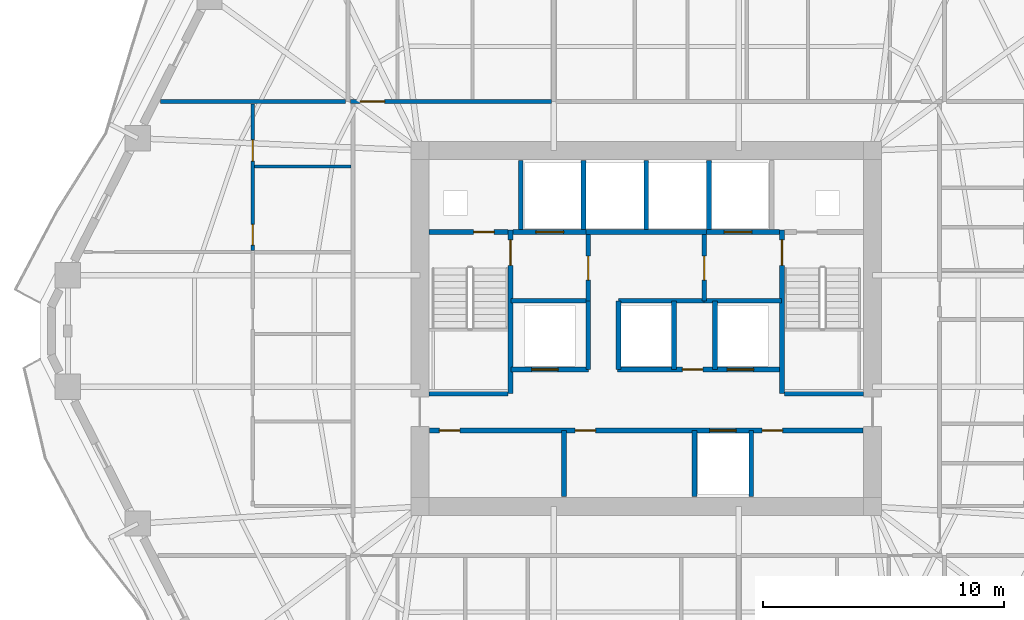
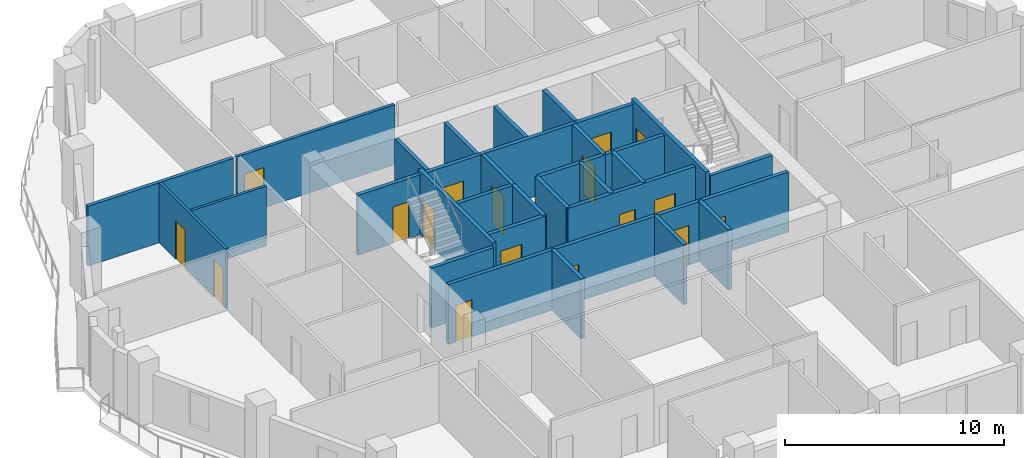
# One storey, part 5 of 11: 31 walls, 17 doors, 17 openings.
"""IFC4 building model written with IfcOpenShell, lengths in metres."""

from ifc_helpers import new_model, si_unit, direction, frame, frame_2d, origin, place, context, subcontext, project, spatial, rectangle, extrude, material, layer, layer_set, type_object, element, fill, save


model = new_model("IFC4")

# Units and contexts
model_context = context("Model", 3, precision=1e-05, world=origin(), true_north=direction((0.0, 1.0)))
body_context = subcontext(model_context, "Body", "Model", "MODEL_VIEW")
ifc_project = project(units=[si_unit("LENGTHUNIT", "METRE"), si_unit("AREAUNIT", "SQUARE_METRE"), si_unit("VOLUMEUNIT", "CUBIC_METRE"), si_unit("PLANEANGLEUNIT", "RADIAN"), si_unit("MASSUNIT", "GRAM", prefix="KILO")], contexts=[model_context])

# Site, building, storey
site_placement = place(None, origin())
site = spatial("IfcSite", under=ifc_project, at=site_placement, CompositionType="ELEMENT")
building_placement = place(site_placement, origin())
building = spatial("IfcBuilding", under=site, at=building_placement, Name="Cinnabar Lancet Tower", CompositionType="ELEMENT")
storey_placement = place(building_placement, frame((0.0, 0.0, 105.5)))
storey = spatial("IfcBuildingStorey", under=building, at=storey_placement, Name="L27", CompositionType="ELEMENT", Elevation=105.5)

# Wall, opening, door
ifc_material_1 = material(Name="Acoustic twin-stud gypsum partition", Category="gypsum")
ifc_layer_1 = layer(ifc_material_1, 0.159912109375)
ifc_layer_set_1 = layer_set([ifc_layer_1], Name="Acoustic twin-stud gypsum partition")
wall_type_1 = type_object("IfcWallType", Name="ARC-WL-CORR-160", PredefinedType="PARTITIONING", material=ifc_layer_set_1)
wall_1_placement = place(storey_placement, frame((20.14501953125, 35.300048828125, 0.0), z_axis=(0.0, 0.0, 1.0), x_axis=(1.0, 0.0, 0.0)))
wall_1 = element("IfcWall", 1, at=wall_1_placement, inside=storey, type_object=wall_type_1, Name="L27 Unit N01 Corridor Wall", PredefinedType="PARTITIONING", context=body_context, shape_type="SweptSolid", body=[
    extrude(rectangle(XDim=8.327880859375, YDim=0.159912109375, at=frame_2d((4.1640625, 0.0))), origin(), (0.0, 0.0, 1.0), 3.340087890625),
])
opening_1_placement = place(wall_1_placement, frame((0.405029296875, 0.0, 0.0)))
opening_1 = element("IfcOpeningElement", 2, at=opening_1_placement, cuts=wall_1, Name="Opening UD-01", PredefinedType="OPENING", context=body_context, shape_type="SweptSolid", body=[
    extrude(rectangle(XDim=1.02001953125, YDim=2.25, at=frame_2d((0.510009765625, 1.125))), frame((0.0, 0.08984375, 0.0), z_axis=(0.0, -1.0, 0.0), x_axis=(1.0, 0.0, 0.0)), (0.0, 0.0, 1.0), 0.179931640625),
])
ifc_material_2 = material(Name="Solid timber fire-rated apartment entrance door", Category="wood")
door_type_1 = type_object("IfcDoorType", Name="ARC-DR-UNIT", OperationType="NOTDEFINED", PredefinedType="DOOR", material=ifc_material_2)
door_1_placement = place(opening_1_placement, origin())
door_1 = element("IfcDoor", 3, at=door_1_placement, inside=storey, type_object=door_type_1, Name="DR-L27-N01-ENT", OperationType="SINGLE_SWING_RIGHT", OverallHeight=2.25, OverallWidth=1.02001953125, PredefinedType="DOOR", context=body_context, shape_type="SweptSolid", body=[
    extrude(rectangle(XDim=1.02001953125, YDim=2.25, at=frame_2d((0.510009765625, 1.125))), frame((0.0, 0.02490234375, 0.0), z_axis=(0.0, -1.0, 0.0), x_axis=(1.0, 0.0, 0.0)), (0.0, 0.0, 1.0), 0.050048828125),
])
fill(opening_1, door_1)

# Walls
ifc_material_3 = material(Name="Fire-rated twin-frame acoustic drywall", Category="gypsum")
ifc_layer_2 = layer(ifc_material_3, 0.179931640625)
ifc_layer_set_2 = layer_set([ifc_layer_2], Name="Fire-rated twin-frame acoustic drywall")
wall_type_2 = type_object("IfcWallType", Name="ARC-WL-PARTY-180", PredefinedType="PARTITIONING", material=ifc_layer_set_2)
wall_2_placement = place(storey_placement, frame((12.285888671875, 35.300048828125, 0.0), z_axis=(0.0, 0.0, 1.0), x_axis=(1.0, 0.0, 0.0)))
element("IfcWall", 4, at=wall_2_placement, inside=storey, type_object=wall_type_2, Name="PW-L27-WNB", PredefinedType="PARTITIONING", context=body_context, shape_type="SweptSolid", body=[
    extrude(rectangle(XDim=7.669189453125, YDim=0.179931640625, at=frame_2d((3.83447265625, 0.0))), origin(), (0.0, 0.0, 1.0), 3.340087890625),
])
ifc_material_4 = material(Name="Autoclaved aerated concrete blockwork", Category="masonry")
ifc_layer_3 = layer(ifc_material_4, 0.199951171875)
ifc_layer_set_3 = layer_set([ifc_layer_3], Name="Autoclaved aerated concrete blockwork")
wall_type_3 = type_object("IfcWallType", Name="ARC-WL-SHAFT-200", PredefinedType="PLUMBINGWALL", material=ifc_layer_set_3)
for number, where, z_axis, x_axis, name in (
    (5, (23.405029296875, 23.199951171875, 0.0), (0.0, 0.0, 1.0), (1.0, 0.0, 0.0), "CW-ST1S-L27"),
    (6, (38.125, 23.199951171875, 0.0), (0.0, 0.0, 1.0), (1.0, 0.0, 0.0), "CW-ST2S-L27"),
):
    element("IfcWall", number, at=place(storey_placement, frame(where, z_axis=z_axis, x_axis=x_axis)), inside=storey, type_object=wall_type_3, Name=name, PredefinedType="PLUMBINGWALL", context=body_context, shape_type="SweptSolid", body=[
        extrude(rectangle(XDim=3.27001953125, YDim=0.199951171875, at=frame_2d((1.635009765625, 0.0))), origin(), (0.0, 0.0, 1.0), 3.340087890625),
    ])

# Wall, opening, door
wall_3_placement = place(storey_placement, frame((23.405029296875, 29.89990234375, 0.0), z_axis=(0.0, 0.0, 1.0), x_axis=(1.0, 0.0, 0.0)))
wall_3 = element("IfcWall", 7, at=wall_3_placement, inside=storey, type_object=wall_type_3, Name="CW-NSH-W-L27", PredefinedType="PLUMBINGWALL", context=body_context, shape_type="SweptSolid", body=[
    extrude(rectangle(XDim=3.27001953125, YDim=0.199951171875, at=frame_2d((1.635009765625, 0.0))), origin(), (0.0, 0.0, 1.0), 3.340087890625),
])
opening_2_placement = place(wall_3_placement, frame((1.85009765625, 0.0, 0.0)))
opening_2 = element("IfcOpeningElement", 8, at=opening_2_placement, cuts=wall_3, Name="Opening PD-02", PredefinedType="OPENING", context=body_context, shape_type="SweptSolid", body=[
    extrude(rectangle(XDim=0.85009765625, YDim=2.050048828125, at=frame_2d((0.425048828125, 1.02490234375))), frame((0.0, 0.10986328125, 0.0), z_axis=(0.0, -1.0, 0.0), x_axis=(1.0, 0.0, 0.0)), (0.0, 0.0, 1.0), 0.219970703125),
])
ifc_material_5 = material(Name="Fire-rated steel riser access door", Category="steel")
door_type_2 = type_object("IfcDoorType", Name="ARC-DR-RISER", OperationType="NOTDEFINED", PredefinedType="DOOR", material=ifc_material_5)
door_2_placement = place(opening_2_placement, origin())
door_2 = element("IfcDoor", 9, at=door_2_placement, inside=storey, type_object=door_type_2, Name="L27 West Riser Access Door", OperationType="SINGLE_SWING_LEFT", OverallHeight=2.050048828125, OverallWidth=0.85009765625, PredefinedType="DOOR", context=body_context, shape_type="SweptSolid", body=[
    extrude(rectangle(XDim=0.85009765625, YDim=2.050048828125, at=frame_2d((0.425048828125, 1.02490234375))), frame((0.0, 0.02490234375, 0.0), z_axis=(0.0, -1.0, 0.0), x_axis=(1.0, 0.0, 0.0)), (0.0, 0.0, 1.0), 0.050048828125),
])
fill(opening_2, door_2)

wall_4_placement = place(storey_placement, frame((26.885009765625, 29.89990234375, 0.0), z_axis=(0.0, 0.0, 1.0), x_axis=(1.0, 0.0, 0.0)))
wall_4 = element("IfcWall", 10, at=wall_4_placement, inside=storey, type_object=wall_type_3, Name="CW-FL1-L27", PredefinedType="PLUMBINGWALL", context=body_context, shape_type="SweptSolid", body=[
    extrude(rectangle(XDim=3.014892578125, YDim=0.199951171875, at=frame_2d((1.50732421875, 0.0))), origin(), (0.0, 0.0, 1.0), 3.340087890625),
])
opening_3_placement = place(wall_4_placement, frame((0.93994140625, 0.0, 0.0)))
opening_3 = element("IfcOpeningElement", 11, at=opening_3_placement, cuts=wall_4, Name="Opening LD-02", PredefinedType="OPENING", context=body_context, shape_type="SweptSolid", body=[
    extrude(rectangle(XDim=1.14990234375, YDim=2.199951171875, at=frame_2d((0.574951171875, 1.10009765625))), frame((0.0, 0.10986328125, 0.0), z_axis=(0.0, -1.0, 0.0), x_axis=(1.0, 0.0, 0.0)), (0.0, 0.0, 1.0), 0.219970703125),
])
ifc_material_6 = material(Name="Fire-rated stainless steel firefighting lift landing door", Category="steel")
door_type_3 = type_object("IfcDoorType", Name="ARC-DR-LD-FIRE", OperationType="NOTDEFINED", PredefinedType="DOOR", material=ifc_material_6)
door_3_placement = place(opening_3_placement, origin())
door_3 = element("IfcDoor", 12, at=door_3_placement, inside=storey, type_object=door_type_3, Name="L27 Firefighting Lift FL-1 Landing Door", OperationType="DOUBLE_DOOR_SLIDING", OverallHeight=2.199951171875, OverallWidth=1.14990234375, PredefinedType="DOOR", context=body_context, shape_type="SweptSolid", body=[
    extrude(rectangle(XDim=1.14990234375, YDim=2.199951171875, at=frame_2d((0.574951171875, 1.10009765625))), frame((0.0, 0.02490234375, 0.0), z_axis=(0.0, -1.0, 0.0), x_axis=(1.0, 0.0, 0.0)), (0.0, 0.0, 1.0), 0.050048828125),
])
fill(opening_3, door_3)

# Wall
wall_5_placement = place(storey_placement, frame((29.89990234375, 29.89990234375, 0.0), z_axis=(0.0, 0.0, 1.0), x_axis=(1.0, 0.0, 0.0)))
element("IfcWall", 13, at=wall_5_placement, inside=storey, type_object=wall_type_3, Name="CW-PL78-L27", PredefinedType="PLUMBINGWALL", context=body_context, shape_type="SweptSolid", body=[
    extrude(rectangle(XDim=5.0, YDim=0.199951171875, at=frame_2d((2.5, 0.0))), origin(), (0.0, 0.0, 1.0), 3.340087890625),
])

# Wall, opening, door
wall_6_placement = place(storey_placement, frame((34.89990234375, 29.89990234375, 0.0), z_axis=(0.0, 0.0, 1.0), x_axis=(1.0, 0.0, 0.0)))
wall_6 = element("IfcWall", 14, at=wall_6_placement, inside=storey, type_object=wall_type_3, Name="CW-FL2-L27", PredefinedType="PLUMBINGWALL", context=body_context, shape_type="SweptSolid", body=[
    extrude(rectangle(XDim=3.01513671875, YDim=0.199951171875, at=frame_2d((1.507568359375, 0.0))), origin(), (0.0, 0.0, 1.0), 3.340087890625),
])
opening_4_placement = place(wall_6_placement, frame((0.72509765625, 0.0, 0.0)))
opening_4 = element("IfcOpeningElement", 15, at=opening_4_placement, cuts=wall_6, Name="Opening LD-02", PredefinedType="OPENING", context=body_context, shape_type="SweptSolid", body=[
    extrude(rectangle(XDim=1.14990234375, YDim=2.199951171875, at=frame_2d((0.574951171875, 1.10009765625))), frame((0.0, 0.10986328125, 0.0), z_axis=(0.0, -1.0, 0.0), x_axis=(1.0, 0.0, 0.0)), (0.0, 0.0, 1.0), 0.219970703125),
])
door_4_placement = place(opening_4_placement, origin())
door_4 = element("IfcDoor", 16, at=door_4_placement, inside=storey, type_object=door_type_3, Name="L27 Firefighting Lift FL-2 Landing Door", OperationType="DOUBLE_DOOR_SLIDING", OverallHeight=2.199951171875, OverallWidth=1.14990234375, PredefinedType="DOOR", context=body_context, shape_type="SweptSolid", body=[
    extrude(rectangle(XDim=1.14990234375, YDim=2.199951171875, at=frame_2d((0.574951171875, 1.10009765625))), frame((0.0, 0.02490234375, 0.0), z_axis=(0.0, -1.0, 0.0), x_axis=(1.0, 0.0, 0.0)), (0.0, 0.0, 1.0), 0.050048828125),
])
fill(opening_4, door_4)

# Walls
for number, where, z_axis, x_axis, name in (
    (17, (27.199951171875, 30.0, 0.0), (0.0, 0.0, 1.0), (0.0, 1.0, 0.0), "CW-NSH-D1-L27"),
    (18, (29.800048828125, 30.0, 0.0), (0.0, 0.0, 1.0), (0.0, 1.0, 0.0), "CW-NSH-D2-L27"),
    (19, (32.39990234375, 30.0, 0.0), (0.0, 0.0, 1.0), (0.0, 1.0, 0.0), "CW-NSH-D3-L27"),
    (20, (35.0, 30.0, 0.0), (0.0, 0.0, 1.0), (0.0, 1.0, 0.0), "CW-NSH-D4-L27"),
):
    element("IfcWall", number, at=place(storey_placement, frame(where, z_axis=z_axis, x_axis=x_axis)), inside=storey, type_object=wall_type_3, Name=name, PredefinedType="PLUMBINGWALL", context=body_context, shape_type="SweptSolid", body=[
        extrude(rectangle(XDim=2.85009765625, YDim=0.199951171875, at=frame_2d((1.425048828125, 0.0))), origin(), (0.0, 0.0, 1.0), 3.340087890625),
    ])

# Wall, opening, door
wall_7_placement = place(storey_placement, frame((30.0, 27.050048828125, 0.0), z_axis=(0.0, 0.0, 1.0), x_axis=(0.0, 1.0, 0.0)))
wall_7 = element("IfcWall", 21, at=wall_7_placement, inside=storey, type_object=wall_type_3, Name="CW-FF1E-L27", PredefinedType="PLUMBINGWALL", context=body_context, shape_type="SweptSolid", body=[
    extrude(rectangle(XDim=2.75, YDim=0.199951171875, at=frame_2d((1.375, 0.0))), origin(), (0.0, 0.0, 1.0), 3.340087890625),
])
opening_5_placement = place(wall_7_placement, frame((0.85009765625, 0.0, 0.0)))
opening_5 = element("IfcOpeningElement", 22, at=opening_5_placement, cuts=wall_7, Name="Opening FD-01", PredefinedType="OPENING", context=body_context, shape_type="SweptSolid", body=[
    extrude(rectangle(XDim=1.0, YDim=2.14990234375, at=frame_2d((0.5, 1.074951171875))), frame((0.0, 0.10986328125, 0.0), z_axis=(0.0, -1.0, 0.0), x_axis=(1.0, 0.0, 0.0)), (0.0, 0.0, 1.0), 0.219970703125),
])
ifc_material_7 = material(Name="Fire-rated timber-core lobby door", Category="wood")
door_type_4 = type_object("IfcDoorType", Name="ARC-DR-FFAL", OperationType="NOTDEFINED", PredefinedType="DOOR", material=ifc_material_7)
door_5_placement = place(opening_5_placement, origin())
door_5 = element("IfcDoor", 23, at=door_5_placement, inside=storey, type_object=door_type_4, Name="L27 FFAL-1 Lobby Fire Door", OperationType="SINGLE_SWING_RIGHT", OverallHeight=2.14990234375, OverallWidth=1.0, PredefinedType="DOOR", context=body_context, shape_type="SweptSolid", body=[
    extrude(rectangle(XDim=1.0, YDim=2.14990234375, at=frame_2d((0.5, 1.074951171875))), frame((0.0, 0.02490234375, 0.0), z_axis=(0.0, -1.0, 0.0), x_axis=(1.0, 0.0, 0.0)), (0.0, 0.0, 1.0), 0.050048828125),
])
fill(opening_5, door_5)

# Wall
wall_8_placement = place(storey_placement, frame((26.800048828125, 27.050048828125, 0.0), z_axis=(0.0, 0.0, 1.0), x_axis=(1.0, 0.0, 0.0)))
element("IfcWall", 24, at=wall_8_placement, inside=storey, type_object=wall_type_3, Name="CW-FF1S-L27", PredefinedType="PLUMBINGWALL", context=body_context, shape_type="SweptSolid", body=[
    extrude(rectangle(XDim=3.199951171875, YDim=0.199951171875, at=frame_2d((1.60009765625, 0.0))), origin(), (0.0, 0.0, 1.0), 3.340087890625),
])

# Wall, opening, door
wall_9_placement = place(storey_placement, frame((34.800048828125, 27.050048828125, 0.0), z_axis=(0.0, 0.0, 1.0), x_axis=(0.0, 1.0, 0.0)))
wall_9 = element("IfcWall", 25, at=wall_9_placement, inside=storey, type_object=wall_type_3, Name="CW-FF2W-L27", PredefinedType="PLUMBINGWALL", context=body_context, shape_type="SweptSolid", body=[
    extrude(rectangle(XDim=2.75, YDim=0.199951171875, at=frame_2d((1.375, 0.0))), origin(), (0.0, 0.0, 1.0), 3.340087890625),
])
opening_6_placement = place(wall_9_placement, frame((0.85009765625, 0.0, 0.0)))
opening_6 = element("IfcOpeningElement", 26, at=opening_6_placement, cuts=wall_9, Name="Opening FD-01", PredefinedType="OPENING", context=body_context, shape_type="SweptSolid", body=[
    extrude(rectangle(XDim=1.0, YDim=2.14990234375, at=frame_2d((0.5, 1.074951171875))), frame((0.0, 0.10986328125, 0.0), z_axis=(0.0, -1.0, 0.0), x_axis=(1.0, 0.0, 0.0)), (0.0, 0.0, 1.0), 0.219970703125),
])
door_6_placement = place(opening_6_placement, origin())
door_6 = element("IfcDoor", 27, at=door_6_placement, inside=storey, type_object=door_type_4, Name="L27 FFAL-2 Lobby Fire Door", OperationType="SINGLE_SWING_LEFT", OverallHeight=2.14990234375, OverallWidth=1.0, PredefinedType="DOOR", context=body_context, shape_type="SweptSolid", body=[
    extrude(rectangle(XDim=1.0, YDim=2.14990234375, at=frame_2d((0.5, 1.074951171875))), frame((0.0, 0.02490234375, 0.0), z_axis=(0.0, -1.0, 0.0), x_axis=(1.0, 0.0, 0.0)), (0.0, 0.0, 1.0), 0.050048828125),
])
fill(opening_6, door_6)

# Wall
wall_10_placement = place(storey_placement, frame((34.800048828125, 27.050048828125, 0.0), z_axis=(0.0, 0.0, 1.0), x_axis=(1.0, 0.0, 0.0)))
element("IfcWall", 28, at=wall_10_placement, inside=storey, type_object=wall_type_3, Name="CW-FF2S-L27", PredefinedType="PLUMBINGWALL", context=body_context, shape_type="SweptSolid", body=[
    extrude(rectangle(XDim=3.199951171875, YDim=0.199951171875, at=frame_2d((1.60009765625, 0.0))), origin(), (0.0, 0.0, 1.0), 3.340087890625),
])

# Wall, opening, door
wall_11_placement = place(storey_placement, frame((26.800048828125, 24.199951171875, 0.0), z_axis=(0.0, 0.0, 1.0), x_axis=(1.0, 0.0, 0.0)))
wall_11 = element("IfcWall", 29, at=wall_11_placement, inside=storey, type_object=wall_type_3, Name="CW-PL5S-L27", PredefinedType="PLUMBINGWALL", context=body_context, shape_type="SweptSolid", body=[
    extrude(rectangle(XDim=3.199951171875, YDim=0.199951171875, at=frame_2d((1.60009765625, 0.0))), origin(), (0.0, 0.0, 1.0), 3.340087890625),
])
opening_7_placement = place(wall_11_placement, frame((0.85009765625, 0.0, 0.0)))
opening_7 = element("IfcOpeningElement", 30, at=opening_7_placement, cuts=wall_11, Name="Opening LD-01", PredefinedType="OPENING", context=body_context, shape_type="SweptSolid", body=[
    extrude(rectangle(XDim=1.10009765625, YDim=2.199951171875, at=frame_2d((0.550048828125, 1.10009765625))), frame((0.0, 0.10986328125, 0.0), z_axis=(0.0, -1.0, 0.0), x_axis=(1.0, 0.0, 0.0)), (0.0, 0.0, 1.0), 0.219970703125),
])
ifc_material_8 = material(Name="Brushed stainless steel sliding lift door", Category="steel")
door_type_5 = type_object("IfcDoorType", Name="ARC-DR-LD-PASS", OperationType="NOTDEFINED", PredefinedType="DOOR", material=ifc_material_8)
door_7_placement = place(opening_7_placement, origin())
door_7 = element("IfcDoor", 31, at=door_7_placement, inside=storey, type_object=door_type_5, Name="L27 Lift PL-5 Landing Door", OperationType="DOUBLE_DOOR_SLIDING", OverallHeight=2.199951171875, OverallWidth=1.10009765625, PredefinedType="DOOR", context=body_context, shape_type="SweptSolid", body=[
    extrude(rectangle(XDim=1.10009765625, YDim=2.199951171875, at=frame_2d((0.550048828125, 1.10009765625))), frame((0.0, 0.02490234375, 0.0), z_axis=(0.0, -1.0, 0.0), x_axis=(1.0, 0.0, 0.0)), (0.0, 0.0, 1.0), 0.050048828125),
])
fill(opening_7, door_7)

# Wall
wall_12_placement = place(storey_placement, frame((30.0, 24.199951171875, 0.0), z_axis=(0.0, 0.0, 1.0), x_axis=(0.0, 1.0, 0.0)))
element("IfcWall", 32, at=wall_12_placement, inside=storey, type_object=wall_type_3, Name="CW-PL5E-L27", PredefinedType="PLUMBINGWALL", context=body_context, shape_type="SweptSolid", body=[
    extrude(rectangle(XDim=2.85009765625, YDim=0.199951171875, at=frame_2d((1.425048828125, 0.0))), origin(), (0.0, 0.0, 1.0), 3.340087890625),
])

# Wall, openings, doors
wall_13_placement = place(storey_placement, frame((31.199951171875, 24.199951171875, 0.0), z_axis=(0.0, 0.0, 1.0), x_axis=(1.0, 0.0, 0.0)))
wall_13 = element("IfcWall", 33, at=wall_13_placement, inside=storey, type_object=wall_type_3, Name="CW-PL96S-L27", PredefinedType="PLUMBINGWALL", context=body_context, shape_type="SweptSolid", body=[
    extrude(rectangle(XDim=6.800048828125, YDim=0.199951171875, at=frame_2d((3.39990234375, 0.0))), origin(), (0.0, 0.0, 1.0), 3.340087890625),
])
opening_8_placement = place(wall_13_placement, frame((2.699951171875, 0.0, 0.0)))
opening_8 = element("IfcOpeningElement", 34, at=opening_8_placement, cuts=wall_13, Name="Opening PD-02", PredefinedType="OPENING", context=body_context, shape_type="SweptSolid", body=[
    extrude(rectangle(XDim=0.85009765625, YDim=2.050048828125, at=frame_2d((0.425048828125, 1.02490234375))), frame((0.0, 0.10986328125, 0.0), z_axis=(0.0, -1.0, 0.0), x_axis=(1.0, 0.0, 0.0)), (0.0, 0.0, 1.0), 0.219970703125),
])
opening_9_placement = place(wall_13_placement, frame((4.550048828125, 0.0, 0.0)))
opening_9 = element("IfcOpeningElement", 35, at=opening_9_placement, cuts=wall_13, Name="Opening LD-01", PredefinedType="OPENING", context=body_context, shape_type="SweptSolid", body=[
    extrude(rectangle(XDim=1.10009765625, YDim=2.199951171875, at=frame_2d((0.550048828125, 1.10009765625))), frame((0.0, 0.10986328125, 0.0), z_axis=(0.0, -1.0, 0.0), x_axis=(1.0, 0.0, 0.0)), (0.0, 0.0, 1.0), 0.219970703125),
])
door_8_placement = place(opening_9_placement, origin())
door_8 = element("IfcDoor", 36, at=door_8_placement, inside=storey, type_object=door_type_5, Name="L27 Lift PL-6 Landing Door", OperationType="DOUBLE_DOOR_SLIDING", OverallHeight=2.199951171875, OverallWidth=1.10009765625, PredefinedType="DOOR", context=body_context, shape_type="SweptSolid", body=[
    extrude(rectangle(XDim=1.10009765625, YDim=2.199951171875, at=frame_2d((0.550048828125, 1.10009765625))), frame((0.0, 0.02490234375, 0.0), z_axis=(0.0, -1.0, 0.0), x_axis=(1.0, 0.0, 0.0)), (0.0, 0.0, 1.0), 0.050048828125),
])
fill(opening_9, door_8)
door_9_placement = place(opening_8_placement, origin())
door_9 = element("IfcDoor", 37, at=door_9_placement, inside=storey, type_object=door_type_2, Name="L27 BMS Closet Door", OperationType="SINGLE_SWING_LEFT", OverallHeight=2.050048828125, OverallWidth=0.85009765625, PredefinedType="DOOR", context=body_context, shape_type="SweptSolid", body=[
    extrude(rectangle(XDim=0.85009765625, YDim=2.050048828125, at=frame_2d((0.425048828125, 1.02490234375))), frame((0.0, 0.02490234375, 0.0), z_axis=(0.0, -1.0, 0.0), x_axis=(1.0, 0.0, 0.0)), (0.0, 0.0, 1.0), 0.050048828125),
])
fill(opening_8, door_9)

# Walls
for number, where, z_axis, x_axis, name in (
    (38, (31.25, 24.199951171875, 0.0), (0.0, 0.0, 1.0), (0.0, 1.0, 0.0), "CW-PL9W-L27"),
    (39, (33.550048828125, 24.199951171875, 0.0), (0.0, 0.0, 1.0), (0.0, 1.0, 0.0), "CW-PL9E-L27"),
    (40, (35.25, 24.199951171875, 0.0), (0.0, 0.0, 1.0), (0.0, 1.0, 0.0), "CW-PL6W-L27"),
):
    element("IfcWall", number, at=place(storey_placement, frame(where, z_axis=z_axis, x_axis=x_axis)), inside=storey, type_object=wall_type_3, Name=name, PredefinedType="PLUMBINGWALL", context=body_context, shape_type="SweptSolid", body=[
        extrude(rectangle(XDim=2.85009765625, YDim=0.199951171875, at=frame_2d((1.425048828125, 0.0))), origin(), (0.0, 0.0, 1.0), 3.340087890625),
    ])
wall_14_placement = place(storey_placement, frame((31.25, 27.050048828125, 0.0), z_axis=(0.0, 0.0, 1.0), x_axis=(1.0, 0.0, 0.0)))
element("IfcWall", 41, at=wall_14_placement, inside=storey, type_object=wall_type_3, Name="CW-PL96N-L27", PredefinedType="PLUMBINGWALL", context=body_context, shape_type="SweptSolid", body=[
    extrude(rectangle(XDim=3.550048828125, YDim=0.199951171875, at=frame_2d((1.77490234375, 0.0))), origin(), (0.0, 0.0, 1.0), 3.340087890625),
])

# Wall, openings, doors
wall_15_placement = place(storey_placement, frame((23.419921875, 21.679931640625, 0.0), z_axis=(0.0, 0.0, 1.0), x_axis=(1.0, 0.0, 0.0)))
wall_15 = element("IfcWall", 42, at=wall_15_placement, inside=storey, type_object=wall_type_3, Name="CW-SBANDN-L27", PredefinedType="PLUMBINGWALL", context=body_context, shape_type="SweptSolid", body=[
    extrude(rectangle(XDim=17.9599609375, YDim=0.199951171875, at=frame_2d((8.97998046875, 0.0))), origin(), (0.0, 0.0, 1.0), 3.340087890625),
])
opening_10_placement = place(wall_15_placement, frame((11.60009765625, 0.0, 0.0)))
opening_10 = element("IfcOpeningElement", 43, at=opening_10_placement, cuts=wall_15, Name="Opening LD-01", PredefinedType="OPENING", context=body_context, shape_type="SweptSolid", body=[
    extrude(rectangle(XDim=1.10009765625, YDim=2.199951171875, at=frame_2d((0.550048828125, 1.10009765625))), frame((0.0, 0.10986328125, 0.0), z_axis=(0.0, -1.0, 0.0), x_axis=(1.0, 0.0, 0.0)), (0.0, 0.0, 1.0), 0.219970703125),
])
opening_11_placement = place(wall_15_placement, frame((0.409912109375, 0.0, 0.0)))
opening_11 = element("IfcOpeningElement", 44, at=opening_11_placement, cuts=wall_15, Name="Opening PD-02", PredefinedType="OPENING", context=body_context, shape_type="SweptSolid", body=[
    extrude(rectangle(XDim=0.85009765625, YDim=2.050048828125, at=frame_2d((0.425048828125, 1.02490234375))), frame((0.0, 0.10986328125, 0.0), z_axis=(0.0, -1.0, 0.0), x_axis=(1.0, 0.0, 0.0)), (0.0, 0.0, 1.0), 0.219970703125),
])
opening_12_placement = place(wall_15_placement, frame((6.030029296875, 0.0, 0.0)))
opening_12 = element("IfcOpeningElement", 45, at=opening_12_placement, cuts=wall_15, Name="Opening PD-02", PredefinedType="OPENING", context=body_context, shape_type="SweptSolid", body=[
    extrude(rectangle(XDim=0.85009765625, YDim=2.050048828125, at=frame_2d((0.425048828125, 1.02490234375))), frame((0.0, 0.10986328125, 0.0), z_axis=(0.0, -1.0, 0.0), x_axis=(1.0, 0.0, 0.0)), (0.0, 0.0, 1.0), 0.219970703125),
])
opening_13_placement = place(wall_15_placement, frame((13.780029296875, 0.0, 0.0)))
opening_13 = element("IfcOpeningElement", 46, at=opening_13_placement, cuts=wall_15, Name="Opening PD-02", PredefinedType="OPENING", context=body_context, shape_type="SweptSolid", body=[
    extrude(rectangle(XDim=0.85009765625, YDim=2.050048828125, at=frame_2d((0.425048828125, 1.02490234375))), frame((0.0, 0.10986328125, 0.0), z_axis=(0.0, -1.0, 0.0), x_axis=(1.0, 0.0, 0.0)), (0.0, 0.0, 1.0), 0.219970703125),
])
door_10_placement = place(opening_10_placement, origin())
door_10 = element("IfcDoor", 47, at=door_10_placement, inside=storey, type_object=door_type_5, Name="L27 Lift PL-4 Landing Door", OperationType="DOUBLE_DOOR_SLIDING", OverallHeight=2.199951171875, OverallWidth=1.10009765625, PredefinedType="DOOR", context=body_context, shape_type="SweptSolid", body=[
    extrude(rectangle(XDim=1.10009765625, YDim=2.199951171875, at=frame_2d((0.550048828125, 1.10009765625))), frame((0.0, 0.02490234375, 0.0), z_axis=(0.0, -1.0, 0.0), x_axis=(1.0, 0.0, 0.0)), (0.0, 0.0, 1.0), 0.050048828125),
])
fill(opening_10, door_10)
door_11_placement = place(opening_11_placement, origin())
door_11 = element("IfcDoor", 48, at=door_11_placement, inside=storey, type_object=door_type_2, Name="DR-L27-MREC1", OperationType="SINGLE_SWING_LEFT", OverallHeight=2.050048828125, OverallWidth=0.85009765625, PredefinedType="DOOR", context=body_context, shape_type="SweptSolid", body=[
    extrude(rectangle(XDim=0.85009765625, YDim=2.050048828125, at=frame_2d((0.425048828125, 1.02490234375))), frame((0.0, 0.02490234375, 0.0), z_axis=(0.0, -1.0, 0.0), x_axis=(1.0, 0.0, 0.0)), (0.0, 0.0, 1.0), 0.050048828125),
])
fill(opening_11, door_11)
door_12_placement = place(opening_12_placement, origin())
door_12 = element("IfcDoor", 49, at=door_12_placement, inside=storey, type_object=door_type_2, Name="DR-L27-MREC2", OperationType="SINGLE_SWING_RIGHT", OverallHeight=2.050048828125, OverallWidth=0.85009765625, PredefinedType="DOOR", context=body_context, shape_type="SweptSolid", body=[
    extrude(rectangle(XDim=0.85009765625, YDim=2.050048828125, at=frame_2d((0.425048828125, 1.02490234375))), frame((0.0, 0.02490234375, 0.0), z_axis=(0.0, -1.0, 0.0), x_axis=(1.0, 0.0, 0.0)), (0.0, 0.0, 1.0), 0.050048828125),
])
fill(opening_12, door_12)
door_13_placement = place(opening_13_placement, origin())
door_13 = element("IfcDoor", 50, at=door_13_placement, inside=storey, type_object=door_type_2, Name="DR-L27-MREC3", OperationType="SINGLE_SWING_LEFT", OverallHeight=2.050048828125, OverallWidth=0.85009765625, PredefinedType="DOOR", context=body_context, shape_type="SweptSolid", body=[
    extrude(rectangle(XDim=0.85009765625, YDim=2.050048828125, at=frame_2d((0.425048828125, 1.02490234375))), frame((0.0, 0.02490234375, 0.0), z_axis=(0.0, -1.0, 0.0), x_axis=(1.0, 0.0, 0.0)), (0.0, 0.0, 1.0), 0.050048828125),
])
fill(opening_13, door_13)

# Walls
for number, where, z_axis, x_axis, name in (
    (51, (34.39990234375, 18.949951171875, 0.0), (0.0, 0.0, 1.0), (0.0, 1.0, 0.0), "CW-SB-3440-L27"),
    (52, (36.75, 18.949951171875, 0.0), (0.0, 0.0, 1.0), (0.0, 1.0, 0.0), "CW-SB-3675-L27"),
    (53, (28.989990234375, 18.949951171875, 0.0), (0.0, 0.0, 1.0), (0.0, 1.0, 0.0), "CW-SB-2899-L27"),
):
    element("IfcWall", number, at=place(storey_placement, frame(where, z_axis=z_axis, x_axis=x_axis)), inside=storey, type_object=wall_type_3, Name=name, PredefinedType="PLUMBINGWALL", context=body_context, shape_type="SweptSolid", body=[
        extrude(rectangle(XDim=2.72998046875, YDim=0.199951171875, at=frame_2d((1.364990234375, 0.0))), origin(), (0.0, 0.0, 1.0), 3.340087890625),
    ])

# Wall, openings, doors
ifc_material_9 = material(Name="Moisture-resistant cement-board plumbing wall", Category="masonry")
ifc_layer_4 = layer(ifc_material_9, 0.139892578125)
ifc_layer_set_4 = layer_set([ifc_layer_4], Name="Moisture-resistant cement-board plumbing wall")
wall_type_4 = type_object("IfcWallType", Name="ARC-WL-WET-140", PredefinedType="PLUMBINGWALL", material=ifc_layer_set_4)
wall_16_placement = place(storey_placement, frame((16.10009765625, 29.134033203125, 0.0), z_axis=(0.0, 0.0, 1.0), x_axis=(0.0, 1.0, 0.0)))
wall_16 = element("IfcWall", 54, at=wall_16_placement, inside=storey, type_object=wall_type_4, Name="UW-L27-W01-SPM", PredefinedType="PLUMBINGWALL", context=body_context, shape_type="SweptSolid", body=[
    extrude(rectangle(XDim=6.071044921875, YDim=0.139892578125, at=frame_2d((3.03564453125, 0.0))), origin(), (0.0, 0.0, 1.0), 3.340087890625),
])
opening_14_placement = place(wall_16_placement, frame((0.219970703125, 0.0, 0.0)))
opening_14 = element("IfcOpeningElement", 55, at=opening_14_placement, cuts=wall_16, Name="Opening BD-01", PredefinedType="OPENING", context=body_context, shape_type="SweptSolid", body=[
    extrude(rectangle(XDim=0.860107421875, YDim=2.10009765625, at=frame_2d((0.43017578125, 1.050048828125))), frame((0.0, 0.079833984375, 0.0), z_axis=(0.0, -1.0, 0.0), x_axis=(1.0, 0.0, 0.0)), (0.0, 0.0, 1.0), 0.159912109375),
])
opening_15_placement = place(wall_16_placement, frame((3.696044921875, 0.0, 0.0)))
opening_15 = element("IfcOpeningElement", 56, at=opening_15_placement, cuts=wall_16, Name="Opening RD-02", PredefinedType="OPENING", context=body_context, shape_type="SweptSolid", body=[
    extrude(rectangle(XDim=0.8798828125, YDim=2.14990234375, at=frame_2d((0.43994140625, 1.074951171875))), frame((0.0, 0.079833984375, 0.0), z_axis=(0.0, -1.0, 0.0), x_axis=(1.0, 0.0, 0.0)), (0.0, 0.0, 1.0), 0.159912109375),
])
ifc_material_10 = material(Name="Moisture-resistant timber bathroom door", Category="wood")
door_type_6 = type_object("IfcDoorType", Name="ARC-DR-BATH", OperationType="NOTDEFINED", PredefinedType="DOOR", material=ifc_material_10)
door_14_placement = place(opening_14_placement, origin())
door_14 = element("IfcDoor", 57, at=door_14_placement, inside=storey, type_object=door_type_6, Name="DR-L27-W01-ENS", OperationType="SINGLE_SWING_LEFT", OverallHeight=2.10009765625, OverallWidth=0.860107421875, PredefinedType="DOOR", context=body_context, shape_type="SweptSolid", body=[
    extrude(rectangle(XDim=0.860107421875, YDim=2.10009765625, at=frame_2d((0.43017578125, 1.050048828125))), frame((0.0, 0.02490234375, 0.0), z_axis=(0.0, -1.0, 0.0), x_axis=(1.0, 0.0, 0.0)), (0.0, 0.0, 1.0), 0.050048828125),
])
fill(opening_14, door_14)
ifc_material_11 = material(Name="Engineered timber study door", Category="wood")
door_type_7 = type_object("IfcDoorType", Name="ARC-DR-STUDY", OperationType="NOTDEFINED", PredefinedType="DOOR", material=ifc_material_11)
door_15_placement = place(opening_15_placement, origin())
door_15 = element("IfcDoor", 58, at=door_15_placement, inside=storey, type_object=door_type_7, Name="DR-L27-W01-EWDR", OperationType="SINGLE_SWING_RIGHT", OverallHeight=2.14990234375, OverallWidth=0.8798828125, PredefinedType="DOOR", context=body_context, shape_type="SweptSolid", body=[
    extrude(rectangle(XDim=0.8798828125, YDim=2.14990234375, at=frame_2d((0.43994140625, 1.074951171875))), frame((0.0, 0.02490234375, 0.0), z_axis=(0.0, -1.0, 0.0), x_axis=(1.0, 0.0, 0.0)), (0.0, 0.0, 1.0), 0.050048828125),
])
fill(opening_15, door_15)

# Wall
wall_17_placement = place(storey_placement, frame((16.18505859375, 32.610107421875, 0.0), z_axis=(0.0, 0.0, 1.0), x_axis=(1.0, 0.0, 0.0)))
element("IfcWall", 59, at=wall_17_placement, inside=storey, type_object=wall_type_4, Name="UW-L27-W01-EWDV", PredefinedType="PLUMBINGWALL", context=body_context, shape_type="SweptSolid", body=[
    extrude(rectangle(XDim=3.97998046875, YDim=0.139892578125, at=frame_2d((1.989990234375, 0.0))), origin(), (0.0, 0.0, 1.0), 3.340087890625),
])

# Wall, opening, door
ifc_material_12 = material(Name="Concrete C50/60", Category="concrete")
ifc_layer_5 = layer(ifc_material_12, 0.199951171875)
ifc_layer_set_5 = layer_set([ifc_layer_5], Name="Concrete C50/60")
wall_type_5 = type_object("IfcWallType", Name="STR-WL-STAIR-200", PredefinedType="SHEAR", material=ifc_layer_set_5)
wall_18_placement = place(storey_placement, frame((26.780029296875, 23.199951171875, 0.0), z_axis=(0.0, 0.0, 1.0), x_axis=(0.0, 1.0, 0.0)))
wall_18 = element("IfcWall", 60, at=wall_18_placement, inside=storey, type_object=wall_type_5, Name="L27 Stair ST-1 Structural Enclosure Wall", PredefinedType="SHEAR", context=body_context, shape_type="SweptSolid", body=[
    extrude(rectangle(XDim=6.780029296875, YDim=0.199951171875, at=frame_2d((3.39013671875, 0.0))), origin(), (0.0, 0.0, 1.0), 3.550048828125),
])
opening_16_placement = place(wall_18_placement, frame((5.320068359375, 0.0, 0.0)))
opening_16 = element("IfcOpeningElement", 61, at=opening_16_placement, cuts=wall_18, Name="Opening SD-01", PredefinedType="OPENING", context=body_context, shape_type="SweptSolid", body=[
    extrude(rectangle(XDim=1.050048828125, YDim=2.14990234375, at=frame_2d((0.52490234375, 1.074951171875))), frame((0.0, 0.10986328125, 0.0), z_axis=(0.0, -1.0, 0.0), x_axis=(1.0, 0.0, 0.0)), (0.0, 0.0, 1.0), 0.219970703125),
])
ifc_material_13 = material(Name="Fire-rated steel stair exit door", Category="steel")
door_type_8 = type_object("IfcDoorType", Name="ARC-DR-STAIR", OperationType="NOTDEFINED", PredefinedType="DOOR", material=ifc_material_13)
door_16_placement = place(opening_16_placement, origin())
door_16 = element("IfcDoor", 62, at=door_16_placement, inside=storey, type_object=door_type_8, Name="L27 Stair ST-1 Fire Door", OperationType="SINGLE_SWING_LEFT", OverallHeight=2.14990234375, OverallWidth=1.050048828125, PredefinedType="DOOR", context=body_context, shape_type="SweptSolid", body=[
    extrude(rectangle(XDim=1.050048828125, YDim=2.14990234375, at=frame_2d((0.52490234375, 1.074951171875))), frame((0.0, 0.02490234375, 0.0), z_axis=(0.0, -1.0, 0.0), x_axis=(1.0, 0.0, 0.0)), (0.0, 0.0, 1.0), 0.050048828125),
])
fill(opening_16, door_16)

wall_19_placement = place(storey_placement, frame((38.02001953125, 23.199951171875, 0.0), z_axis=(0.0, 0.0, 1.0), x_axis=(0.0, 1.0, 0.0)))
wall_19 = element("IfcWall", 63, at=wall_19_placement, inside=storey, type_object=wall_type_5, Name="L27 Stair ST-2 Structural Enclosure Wall", PredefinedType="SHEAR", context=body_context, shape_type="SweptSolid", body=[
    extrude(rectangle(XDim=6.780029296875, YDim=0.199951171875, at=frame_2d((3.39013671875, 0.0))), origin(), (0.0, 0.0, 1.0), 3.550048828125),
])
opening_17_placement = place(wall_19_placement, frame((5.320068359375, 0.0, 0.0)))
opening_17 = element("IfcOpeningElement", 64, at=opening_17_placement, cuts=wall_19, Name="Opening SD-01", PredefinedType="OPENING", context=body_context, shape_type="SweptSolid", body=[
    extrude(rectangle(XDim=1.050048828125, YDim=2.14990234375, at=frame_2d((0.52490234375, 1.074951171875))), frame((0.0, 0.10986328125, 0.0), z_axis=(0.0, -1.0, 0.0), x_axis=(1.0, 0.0, 0.0)), (0.0, 0.0, 1.0), 0.219970703125),
])
door_17_placement = place(opening_17_placement, origin())
door_17 = element("IfcDoor", 65, at=door_17_placement, inside=storey, type_object=door_type_8, Name="L27 Stair ST-2 Fire Door", OperationType="SINGLE_SWING_RIGHT", OverallHeight=2.14990234375, OverallWidth=1.050048828125, PredefinedType="DOOR", context=body_context, shape_type="SweptSolid", body=[
    extrude(rectangle(XDim=1.050048828125, YDim=2.14990234375, at=frame_2d((0.52490234375, 1.074951171875))), frame((0.0, 0.02490234375, 0.0), z_axis=(0.0, -1.0, 0.0), x_axis=(1.0, 0.0, 0.0)), (0.0, 0.0, 1.0), 0.050048828125),
])
fill(opening_17, door_17)

save(model, "model.ifc")
